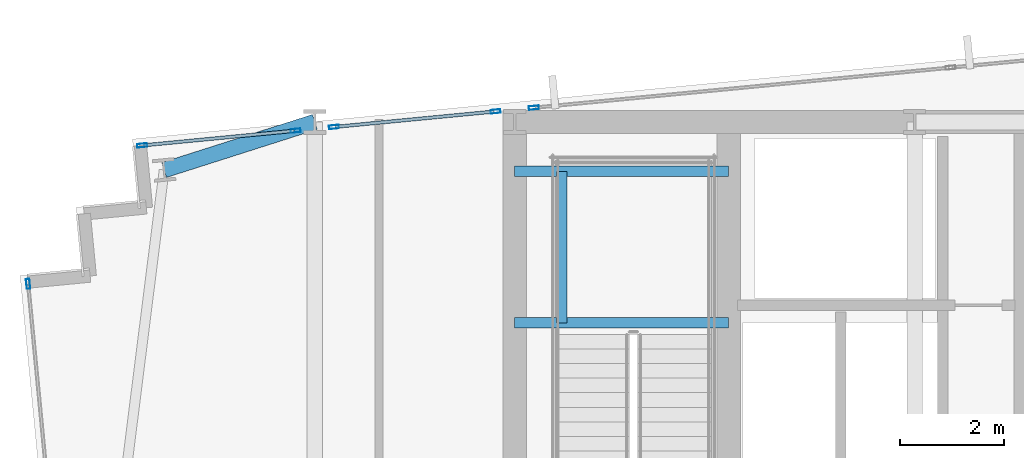
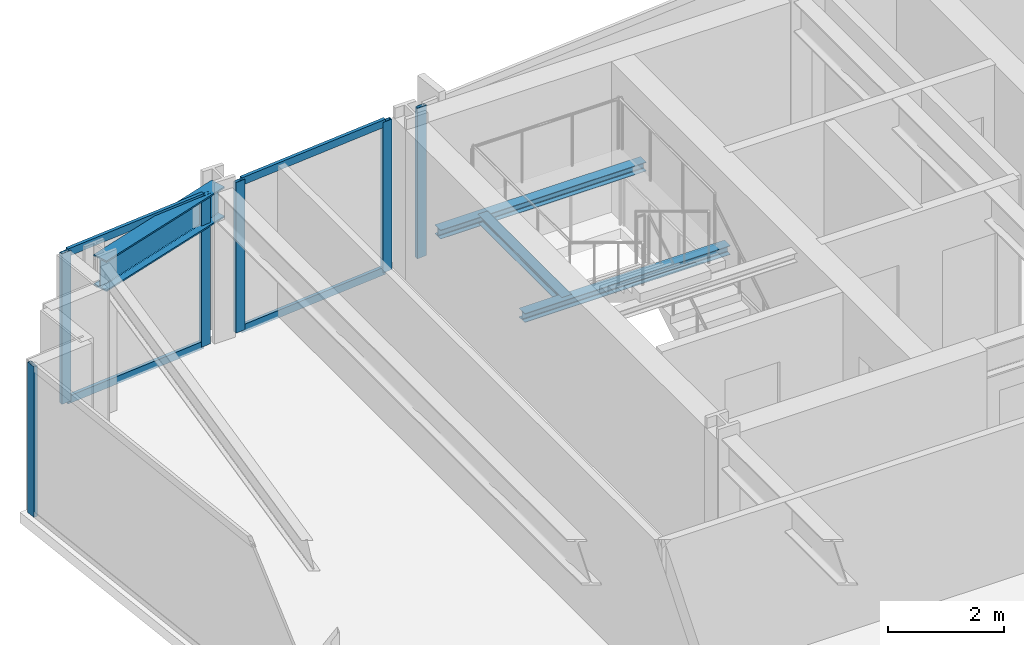
# One storey, part 17 of 32: 10 members, 4 beams, 4 elements without a shape of their own.
"""IFC4 building model written with IfcOpenShell, lengths in metres."""

from ifc_helpers import new_model, si_unit, direction, frame, origin, origin_2d, place, context, subcontext, project, spatial, hollow_rectangle, i_section, extrude, material, material_profile, profile_set, type_object, element, aggregate, save


model = new_model("IFC4")

# Units and contexts
model_context = context("Model", 3, precision=1e-05, world=origin(), true_north=direction((0.0, 1.0)))
body_context = subcontext(model_context, "Body", "Model", "MODEL_VIEW")
ifc_project = project(units=[si_unit("LENGTHUNIT", "METRE"), si_unit("AREAUNIT", "SQUARE_METRE"), si_unit("VOLUMEUNIT", "CUBIC_METRE"), si_unit("PLANEANGLEUNIT", "RADIAN"), si_unit("MASSUNIT", "GRAM", prefix="KILO")], contexts=[model_context])

# Site, building, storey
site_placement = place(None, origin())
site = spatial("IfcSite", under=ifc_project, at=site_placement, CompositionType="ELEMENT")
building_placement = place(site_placement, origin())
building = spatial("IfcBuilding", under=site, at=building_placement, Name="Yelkora Congress Tower", CompositionType="ELEMENT")
storey_placement = place(building_placement, frame((0.0, 0.0, 99.89990234375)))
storey = spatial("IfcBuildingStorey", under=building, at=storey_placement, Name="L26", CompositionType="ELEMENT", Elevation=99.89990234375)

# Beams
ifc_material_1 = material(Name="Steel S355J2", Category="steel")
ifc_material_profile_1 = material_profile(ifc_material_1, i_section(OverallWidth=0.300048828125, OverallDepth=0.64990234375, WebThickness=0.01611328125, FlangeThickness=0.031005859375, FilletRadius=0.027099609375, at=origin_2d()), Name="HEB 650")
ifc_profile_set_1 = profile_set([ifc_material_profile_1], Name="Steel S355J2")
beam_type_1 = type_object("IfcBeamType", Name="BM-GIRD-HEB650", PredefinedType="BEAM", material=ifc_profile_set_1)
beam_1_placement = place(storey_placement, frame((16.306884765625, 45.27734375, 2.85498046875), z_axis=(0.952727067409, 0.303827475759, 0.0), x_axis=(-0.303827475759, 0.952727067409, 0.0)))
element("IfcBeam", 1, at=beam_1_placement, inside=storey, type_object=beam_type_1, Name="L26 Primary Frame Girder N01", PredefinedType="BEAM", context=body_context, shape_type="SweptSolid", body=[
    extrude(i_section(OverallWidth=0.300048828125, OverallDepth=0.64990234375, WebThickness=0.01611328125, FlangeThickness=0.031005859375, FilletRadius=0.027099609375, at=origin_2d()), origin(), (0.0, 0.0, 1.0), 3.03662109375),
])
ifc_material_profile_2 = material_profile(ifc_material_1, i_section(OverallWidth=0.199951171875, OverallDepth=0.18994140625, WebThickness=0.006591796875, FlangeThickness=0.010009765625, FilletRadius=0.01806640625, at=origin_2d()), Name="HEA 200")
ifc_profile_set_2 = profile_set([ifc_material_profile_2], Name="Steel S355J2")
beam_type_2 = type_object("IfcBeamType", Name="BM-LAND-HEA200", PredefinedType="BEAM", material=ifc_profile_set_2)
for number, where, z_axis, x_axis, name in (
    (2, (23.0400390625, 42.340087890625, 1.384765625), (1.0, 0.0, 0.0), (0.0, 1.0, 0.0), "ST-01 L26 Landing Header Beam 1S"),
    (3, (23.0400390625, 45.25, 1.384765625), (1.0, 0.0, 0.0), (0.0, 1.0, 0.0), "ST-01 L26 Landing Header Beam 1N"),
):
    element("IfcBeam", number, at=place(storey_placement, frame(where, z_axis=z_axis, x_axis=x_axis)), inside=storey, type_object=beam_type_2, Name=name, PredefinedType="BEAM", context=body_context, shape_type="SweptSolid", body=[
        extrude(i_section(OverallWidth=0.199951171875, OverallDepth=0.18994140625, WebThickness=0.006591796875, FlangeThickness=0.010009765625, FilletRadius=0.01806640625, at=origin_2d()), origin(), (0.0, 0.0, 1.0), 4.10986328125),
    ])
beam_2_placement = place(storey_placement, frame((23.93994140625, 42.340087890625, 1.384765625), z_axis=(0.0, 1.0, 0.0), x_axis=(-1.0, 0.0, 0.0)))
element("IfcBeam", 4, at=beam_2_placement, inside=storey, type_object=beam_type_2, Name="ST-01 L26 Landing Trimmer Beam 1M", PredefinedType="BEAM", context=body_context, shape_type="SweptSolid", body=[
    extrude(i_section(OverallWidth=0.199951171875, OverallDepth=0.18994140625, WebThickness=0.006591796875, FlangeThickness=0.010009765625, FilletRadius=0.01806640625, at=origin_2d()), origin(), (0.0, 0.0, 1.0), 2.909912109375),
])

# Curtain wall, member
ifc_material_2 = material(Name="Anodised aluminium and insulated glass", Category="aluminium")
curtain_wall_type = type_object("IfcCurtainWallType", Name="CW-SYS-B2", PredefinedType="NOTDEFINED", material=ifc_material_2)
curtain_wall_1_placement = place(storey_placement, origin())
curtain_wall_1 = element("IfcCurtainWall", 5, at=curtain_wall_1_placement, inside=storey, type_object=curtain_wall_type, Name="L26 Unitised Curtain Wall 5", PredefinedType="NOTDEFINED")
ifc_material_3 = material(Name="Anodised aluminium 6063-T6", Category="aluminium")
ifc_material_profile_3 = material_profile(ifc_material_3, hollow_rectangle(XDim=0.070068359375, YDim=0.18994140625, WallThickness=0.00390625, at=origin_2d()), Name="ALU 70x190x4")
ifc_profile_set_3 = profile_set([ifc_material_profile_3], Name="Anodised aluminium 6063-T6")
member_type_1 = type_object("IfcMemberType", Name="MEM-ML-B2", PredefinedType="MULLION", material=ifc_profile_set_3)
member_1_placement = place(storey_placement, frame((13.6943359375, 43.091796875, 0.0), z_axis=(0.0, 0.0, 1.0), x_axis=(-0.995396507508, -0.095842541913, 0.0)))
member_1 = element("IfcMember", 6, at=member_1_placement, type_object=member_type_1, Name="CW-B2 mullion 5", PredefinedType="MULLION", context=body_context, shape_type="SweptSolid", body=[
    extrude(hollow_rectangle(XDim=0.070068359375, YDim=0.18994140625, WallThickness=0.00390625, at=origin_2d()), origin(), (0.0, 0.0, 1.0), 3.18017578125),
])
aggregate(curtain_wall_1, [member_1])

# Curtain wall, members
curtain_wall_2_placement = place(storey_placement, origin())
curtain_wall_2 = element("IfcCurtainWall", 7, at=curtain_wall_2_placement, inside=storey, type_object=curtain_wall_type, Name="L26 Unitised Curtain Wall 10 (1)", PredefinedType="NOTDEFINED")
member_2_placement = place(storey_placement, frame((15.884521484375, 45.7490234375, 0.0), z_axis=(0.0, 0.0, 1.0), x_axis=(-0.095839346142, 0.99539681521, 0.0)))
member_2 = element("IfcMember", 8, at=member_2_placement, type_object=member_type_1, Name="CW-B2 mullion 1", PredefinedType="MULLION", context=body_context, shape_type="SweptSolid", body=[
    extrude(hollow_rectangle(XDim=0.070068359375, YDim=0.18994140625, WallThickness=0.00390625, at=origin_2d()), origin(), (0.0, 0.0, 1.0), 3.18017578125),
])
member_3_placement = place(storey_placement, frame((18.833251953125, 46.032958984375, 0.0), z_axis=(0.0, 0.0, 1.0), x_axis=(-0.095839346142, 0.99539681521, 0.0)))
member_3 = element("IfcMember", 9, at=member_3_placement, type_object=member_type_1, Name="CW-B2 mullion 2", PredefinedType="MULLION", context=body_context, shape_type="SweptSolid", body=[
    extrude(hollow_rectangle(XDim=0.070068359375, YDim=0.18994140625, WallThickness=0.00390625, at=origin_2d()), origin(), (0.0, 0.0, 1.0), 3.18017578125),
])

curtain_wall_3_placement = place(storey_placement, origin())
curtain_wall_3 = element("IfcCurtainWall", 10, at=curtain_wall_3_placement, inside=storey, type_object=curtain_wall_type, Name="L26 Unitised Curtain Wall 10 (2)", PredefinedType="NOTDEFINED")
member_4_placement = place(storey_placement, frame((19.56689453125, 46.103515625, 0.0), z_axis=(0.0, 0.0, 1.0), x_axis=(-0.095841399764, 0.99539661748, 0.0)))
member_4 = element("IfcMember", 11, at=member_4_placement, type_object=member_type_1, Name="CW-B2 mullion 1", PredefinedType="MULLION", context=body_context, shape_type="SweptSolid", body=[
    extrude(hollow_rectangle(XDim=0.070068359375, YDim=0.18994140625, WallThickness=0.00390625, at=origin_2d()), origin(), (0.0, 0.0, 1.0), 3.18017578125),
])
member_5_placement = place(storey_placement, frame((22.673095703125, 46.402587890625, 0.0), z_axis=(0.0, 0.0, 1.0), x_axis=(-0.095841399764, 0.99539661748, 0.0)))
member_5 = element("IfcMember", 12, at=member_5_placement, type_object=member_type_1, Name="CW-B2 mullion 2", PredefinedType="MULLION", context=body_context, shape_type="SweptSolid", body=[
    extrude(hollow_rectangle(XDim=0.070068359375, YDim=0.18994140625, WallThickness=0.00390625, at=origin_2d()), origin(), (0.0, 0.0, 1.0), 3.18017578125),
])

# Curtain wall, member
curtain_wall_4_placement = place(storey_placement, origin())
curtain_wall_4 = element("IfcCurtainWall", 13, at=curtain_wall_4_placement, inside=storey, type_object=curtain_wall_type, Name="L26 Unitised Curtain Wall 10 (3)", PredefinedType="NOTDEFINED")
member_6_placement = place(storey_placement, frame((23.40673828125, 46.473388671875, 0.0), z_axis=(0.0, 0.0, 1.0), x_axis=(-0.095844238468, 0.995396344153, 0.0)))
member_6 = element("IfcMember", 14, at=member_6_placement, type_object=member_type_1, Name="CW-B2 mullion 1", PredefinedType="MULLION", context=body_context, shape_type="SweptSolid", body=[
    extrude(hollow_rectangle(XDim=0.070068359375, YDim=0.18994140625, WallThickness=0.00390625, at=origin_2d()), origin(), (0.0, 0.0, 1.0), 3.18017578125),
])
aggregate(curtain_wall_4, [member_6])

# Member
ifc_material_profile_4 = material_profile(ifc_material_3, hollow_rectangle(XDim=0.06494140625, YDim=0.159912109375, WallThickness=0.00390625, at=origin_2d()), Name="ALU 65x160x4")
ifc_profile_set_4 = profile_set([ifc_material_profile_4], Name="Anodised aluminium 6063-T6")
member_type_2 = type_object("IfcMemberType", Name="MEM-TR-B2", PredefinedType="USERDEFINED", material=ifc_profile_set_4)
member_7_placement = place(storey_placement, frame((15.91943359375, 45.75244140625, 0.03271484375), z_axis=(0.995399744854, 0.095808913705, 0.0), x_axis=(-0.095808913705, 0.995399744854, 0.0)))
member_7 = element("IfcMember", 15, at=member_7_placement, type_object=member_type_2, Name="CW-B2 transom 1.1", ObjectType="TRANSOM", PredefinedType="USERDEFINED", context=body_context, shape_type="SweptSolid", body=[
    extrude(hollow_rectangle(XDim=0.06494140625, YDim=0.159912109375, WallThickness=0.00390625, at=origin_2d()), origin(), (0.0, 0.0, 1.0), 2.89208984375),
])

member_8_placement = place(storey_placement, frame((15.91943359375, 45.75244140625, 3.147705078125), z_axis=(0.995399744854, 0.095808913705, 0.0), x_axis=(-0.095808913705, 0.995399744854, 0.0)))
member_8 = element("IfcMember", 16, at=member_8_placement, type_object=member_type_2, Name="CW-B2 transom 1.2", ObjectType="TRANSOM", PredefinedType="USERDEFINED", context=body_context, shape_type="SweptSolid", body=[
    extrude(hollow_rectangle(XDim=0.06494140625, YDim=0.159912109375, WallThickness=0.00390625, at=origin_2d()), origin(), (0.0, 0.0, 1.0), 2.89208984375),
])

aggregate(curtain_wall_2, [member_2, member_3, member_7, member_8])

member_9_placement = place(storey_placement, frame((19.6015625, 46.10693359375, 0.03271484375), z_axis=(0.995401842144, 0.095787121557, 0.0), x_axis=(-0.095787121557, 0.995401842144, 0.0)))
member_9 = element("IfcMember", 17, at=member_9_placement, type_object=member_type_2, Name="CW-B2 transom 1.1", ObjectType="TRANSOM", PredefinedType="USERDEFINED", context=body_context, shape_type="SweptSolid", body=[
    extrude(hollow_rectangle(XDim=0.06494140625, YDim=0.159912109375, WallThickness=0.00390625, at=origin_2d()), origin(), (0.0, 0.0, 1.0), 3.05078125),
])

member_10_placement = place(storey_placement, frame((19.6015625, 46.10693359375, 3.147705078125), z_axis=(0.995401842144, 0.095787121557, 0.0), x_axis=(-0.095787121557, 0.995401842144, 0.0)))
member_10 = element("IfcMember", 18, at=member_10_placement, type_object=member_type_2, Name="CW-B2 transom 1.2", ObjectType="TRANSOM", PredefinedType="USERDEFINED", context=body_context, shape_type="SweptSolid", body=[
    extrude(hollow_rectangle(XDim=0.06494140625, YDim=0.159912109375, WallThickness=0.00390625, at=origin_2d()), origin(), (0.0, 0.0, 1.0), 3.05078125),
])

aggregate(curtain_wall_3, [member_4, member_5, member_9, member_10])

save(model, "model.ifc")
